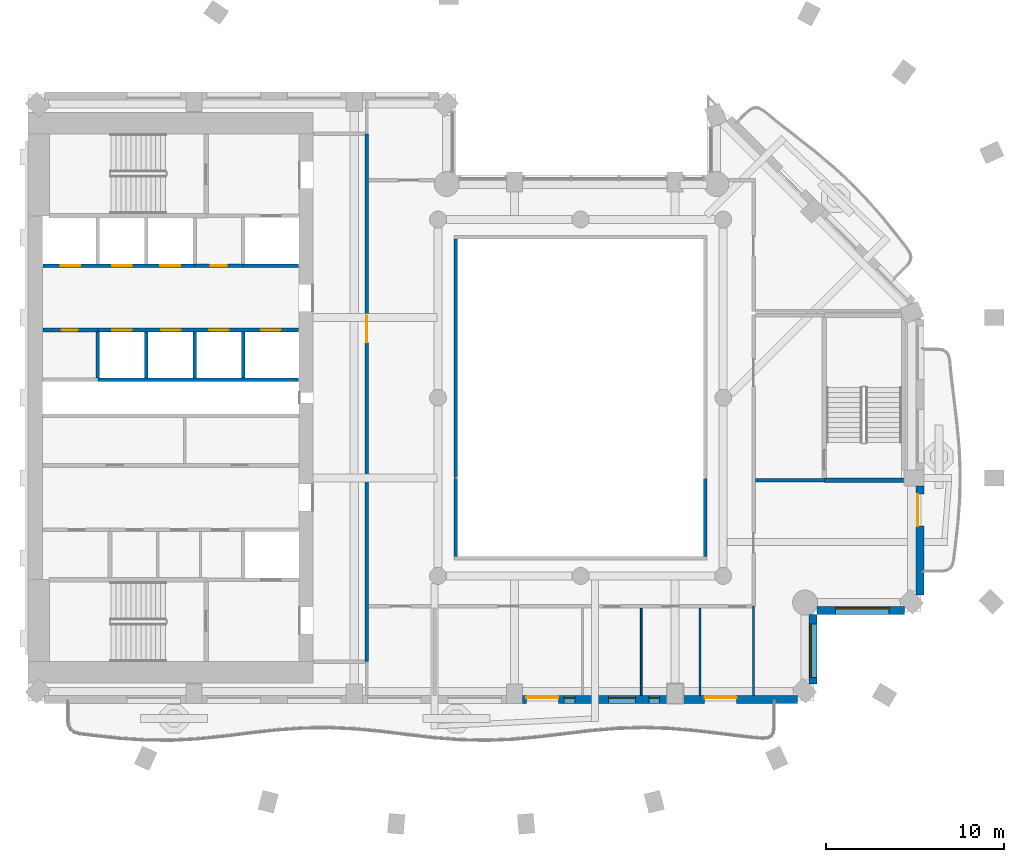
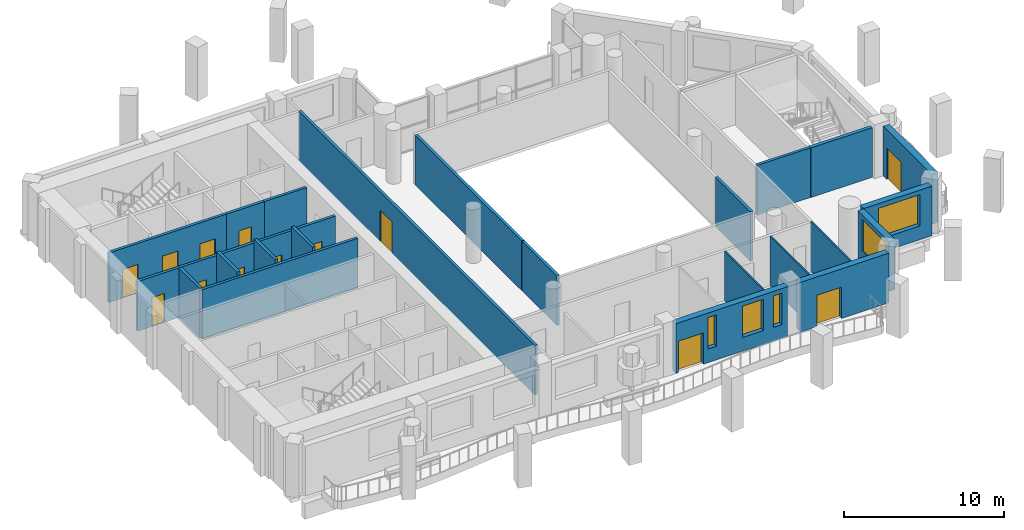
# One storey, part 5 of 15: 24 walls, 13 doors, 5 windows, 18 openings.
"""IFC4 building model written with IfcOpenShell, lengths in metres."""

from ifc_helpers import new_model, si_unit, direction, frame, frame_2d, origin, place, context, subcontext, project, spatial, rectangle, extrude, material, layer, layer_set, type_object, element, fill, save


model = new_model("IFC4")

# Units and contexts
model_context = context("Model", 3, precision=1e-05, world=origin(), true_north=direction((0.0, 1.0)))
body_context = subcontext(model_context, "Body", "Model", "MODEL_VIEW")
ifc_project = project(units=[si_unit("LENGTHUNIT", "METRE"), si_unit("AREAUNIT", "SQUARE_METRE"), si_unit("VOLUMEUNIT", "CUBIC_METRE"), si_unit("PLANEANGLEUNIT", "RADIAN"), si_unit("MASSUNIT", "GRAM", prefix="KILO")], contexts=[model_context])

# Site, building, storey
site_placement = place(None, origin())
site = spatial("IfcSite", under=ifc_project, at=site_placement, CompositionType="ELEMENT")
building_placement = place(site_placement, origin())
building = spatial("IfcBuilding", under=site, at=building_placement, Name="Cypress Arch Tower", CompositionType="ELEMENT")
storey_placement = place(building_placement, frame((0.0, 0.0, 213.800048828125)))
storey = spatial("IfcBuildingStorey", under=building, at=storey_placement, Name="L47", CompositionType="ELEMENT", Elevation=213.800048828125)

# Wall, openings, door, windows
ifc_material_1 = material(Name="Brick (red buff blend)", Category="masonry")
ifc_layer_1 = layer(ifc_material_1, 0.449951171875)
ifc_layer_set_1 = layer_set([ifc_layer_1], Name="Brick pier and spandrel wall BW450")
wall_type_1 = type_object("IfcWallType", Name="Brick pier and spandrel wall BW450", PredefinedType="SOLIDWALL", material=ifc_layer_set_1)
wall_1_placement = place(storey_placement, frame((-2.25, -16.925048828125, 0.0), z_axis=(0.0, 0.0, 1.0), x_axis=(1.0, 0.0, 0.0)))
wall_1 = element("IfcWall", 1, at=wall_1_placement, inside=storey, type_object=wall_type_1, Name="Brick wall L47 B01.3", PredefinedType="SOLIDWALL", context=body_context, shape_type="SweptSolid", body=[
    extrude(rectangle(XDim=8.10009765625, YDim=0.449951171875, at=frame_2d((4.050048828125, 0.0))), origin(), (0.0, 0.0, 1.0), 3.800048828125),
])
opening_1_placement = place(wall_1_placement, frame((0.199951171875, 0.0, 0.0)))
opening_1 = element("IfcOpeningElement", 2, at=opening_1_placement, cuts=wall_1, Name="Opening D-L47-B01.3.1", PredefinedType="OPENING", context=body_context, shape_type="SweptSolid", body=[
    extrude(rectangle(XDim=1.800048828125, YDim=2.39990234375, at=frame_2d((0.89990234375, 1.199951171875))), frame((0.0, 0.23486328125, 0.0), z_axis=(0.0, -1.0, 0.0), x_axis=(1.0, 0.0, 0.0)), (0.0, 0.0, 1.0), 0.469970703125),
])
opening_2_placement = place(wall_1_placement, frame((2.324951171875, 0.0, 1.050048828125)))
opening_2 = element("IfcOpeningElement", 3, at=opening_2_placement, cuts=wall_1, Name="Opening W060OD", PredefinedType="OPENING", context=body_context, shape_type="SweptSolid", body=[
    extrude(rectangle(XDim=0.60009765625, YDim=2.39990234375, at=frame_2d((0.300048828125, 1.199951171875))), frame((0.0, 0.23486328125, 0.0), z_axis=(0.0, -1.0, 0.0), x_axis=(1.0, 0.0, 0.0)), (0.0, 0.0, 1.0), 0.469970703125),
])
opening_3_placement = place(wall_1_placement, frame((4.824951171875, 0.0, 1.050048828125)))
opening_3 = element("IfcOpeningElement", 4, at=opening_3_placement, cuts=wall_1, Name="Opening W150OD", PredefinedType="OPENING", context=body_context, shape_type="SweptSolid", body=[
    extrude(rectangle(XDim=1.5, YDim=2.39990234375, at=frame_2d((0.75, 1.199951171875))), frame((0.0, 0.23486328125, 0.0), z_axis=(0.0, -1.0, 0.0), x_axis=(1.0, 0.0, 0.0)), (0.0, 0.0, 1.0), 0.469970703125),
])
opening_4_placement = place(wall_1_placement, frame((7.074951171875, 0.0, 1.050048828125)))
opening_4 = element("IfcOpeningElement", 5, at=opening_4_placement, cuts=wall_1, Name="Opening W060OD", PredefinedType="OPENING", context=body_context, shape_type="SweptSolid", body=[
    extrude(rectangle(XDim=0.60009765625, YDim=2.39990234375, at=frame_2d((0.300048828125, 1.199951171875))), frame((0.0, 0.23486328125, 0.0), z_axis=(0.0, -1.0, 0.0), x_axis=(1.0, 0.0, 0.0)), (0.0, 0.0, 1.0), 0.469970703125),
])
ifc_material_2 = material(Name="Anodised aluminium, bronze finish, laminated low-emissivity double glazing, large-missile impact rated", Category="aluminium")
door_type_1 = type_object("IfcDoorType", Name="Balcony sliding door 1800x2400", OperationType="SLIDING_TO_LEFT", PredefinedType="DOOR", material=ifc_material_2)
door_1_placement = place(opening_1_placement, origin())
door_1 = element("IfcDoor", 6, at=door_1_placement, inside=storey, type_object=door_type_1, Name="Balcony door L47 B01.3.1", OperationType="SLIDING_TO_LEFT", OverallHeight=2.39990234375, OverallWidth=1.800048828125, PredefinedType="DOOR", context=body_context, shape_type="SweptSolid", body=[
    extrude(rectangle(XDim=1.800048828125, YDim=2.39990234375, at=frame_2d((0.89990234375, 1.199951171875))), frame((0.0, 0.1298828125, 0.0), z_axis=(0.0, -1.0, 0.0), x_axis=(1.0, 0.0, 0.0)), (0.0, 0.0, 1.0), 0.050048828125),
])
fill(opening_1, door_1)
ifc_material_3 = material(Name="Anodised aluminium, bronze finish, laminated low-emissivity double glazing, large-missile impact rated", Category="aluminium")
window_type_1 = type_object("IfcWindowType", Name="Window Office 1500x2400 debris-rated", PartitioningType="SINGLE_PANEL", PredefinedType="WINDOW", material=ifc_material_3)
window_1_placement = place(opening_3_placement, origin())
window_1 = element("IfcWindow", 7, at=window_1_placement, inside=storey, type_object=window_type_1, Name="Window L47 B01.3.2", OverallHeight=2.39990234375, OverallWidth=1.5, PartitioningType="SINGLE_PANEL", PredefinedType="WINDOW", context=body_context, shape_type="SweptSolid", body=[
    extrude(rectangle(XDim=1.5, YDim=2.39990234375, at=frame_2d((0.75, 1.199951171875))), frame((0.0, 0.135009765625, 0.0), z_axis=(0.0, -1.0, 0.0), x_axis=(1.0, 0.0, 0.0)), (0.0, 0.0, 1.0), 0.06005859375),
])
fill(opening_3, window_1)
ifc_material_4 = material(Name="Anodised aluminium, bronze finish, laminated low-emissivity double glazing, large-missile impact rated", Category="aluminium")
window_type_2 = type_object("IfcWindowType", Name="Window Office 600x2400 debris-rated", PartitioningType="SINGLE_PANEL", PredefinedType="WINDOW", material=ifc_material_4)
window_2_placement = place(opening_2_placement, origin())
window_2 = element("IfcWindow", 8, at=window_2_placement, inside=storey, type_object=window_type_2, Name="Window L47 B01.3.1", OverallHeight=2.39990234375, OverallWidth=0.60009765625, PartitioningType="SINGLE_PANEL", PredefinedType="WINDOW", context=body_context, shape_type="SweptSolid", body=[
    extrude(rectangle(XDim=0.60009765625, YDim=2.39990234375, at=frame_2d((0.300048828125, 1.199951171875))), frame((0.0, 0.135009765625, 0.0), z_axis=(0.0, -1.0, 0.0), x_axis=(1.0, 0.0, 0.0)), (0.0, 0.0, 1.0), 0.06005859375),
])
fill(opening_2, window_2)
window_3_placement = place(opening_4_placement, origin())
window_3 = element("IfcWindow", 9, at=window_3_placement, inside=storey, type_object=window_type_2, Name="Window L47 B01.3.2b", OverallHeight=2.39990234375, OverallWidth=0.60009765625, PartitioningType="SINGLE_PANEL", PredefinedType="WINDOW", context=body_context, shape_type="SweptSolid", body=[
    extrude(rectangle(XDim=0.60009765625, YDim=2.39990234375, at=frame_2d((0.300048828125, 1.199951171875))), frame((0.0, 0.135009765625, 0.0), z_axis=(0.0, -1.0, 0.0), x_axis=(1.0, 0.0, 0.0)), (0.0, 0.0, 1.0), 0.06005859375),
])
fill(opening_4, window_3)

# Wall, opening, door
wall_2_placement = place(storey_placement, frame((6.75, -16.925048828125, 0.0), z_axis=(0.0, 0.0, 1.0), x_axis=(1.0, 0.0, 0.0)))
wall_2 = element("IfcWall", 10, at=wall_2_placement, inside=storey, type_object=wall_type_1, Name="Brick wall L47 B01.4", PredefinedType="SOLIDWALL", context=body_context, shape_type="SweptSolid", body=[
    extrude(rectangle(XDim=6.41357421875, YDim=0.449951171875, at=frame_2d((3.206787109375, 0.0))), origin(), (0.0, 0.0, 1.0), 3.800048828125),
])
opening_5_placement = place(wall_2_placement, frame((1.199951171875, 0.0, 0.0)))
opening_5 = element("IfcOpeningElement", 11, at=opening_5_placement, cuts=wall_2, Name="Opening D-L47-B01.4.1", PredefinedType="OPENING", context=body_context, shape_type="SweptSolid", body=[
    extrude(rectangle(XDim=1.800048828125, YDim=2.39990234375, at=frame_2d((0.89990234375, 1.199951171875))), frame((0.0, 0.23486328125, 0.0), z_axis=(0.0, -1.0, 0.0), x_axis=(1.0, 0.0, 0.0)), (0.0, 0.0, 1.0), 0.469970703125),
])
door_2_placement = place(opening_5_placement, origin())
door_2 = element("IfcDoor", 12, at=door_2_placement, inside=storey, type_object=door_type_1, Name="Balcony door L47 B01.4.1", OperationType="SLIDING_TO_LEFT", OverallHeight=2.39990234375, OverallWidth=1.800048828125, PredefinedType="DOOR", context=body_context, shape_type="SweptSolid", body=[
    extrude(rectangle(XDim=1.800048828125, YDim=2.39990234375, at=frame_2d((0.89990234375, 1.199951171875))), frame((0.0, 0.1298828125, 0.0), z_axis=(0.0, -1.0, 0.0), x_axis=(1.0, 0.0, 0.0)), (0.0, 0.0, 1.0), 0.050048828125),
])
fill(opening_5, door_2)

# Wall, opening, window
wall_3_placement = place(storey_placement, frame((14.02490234375, -16.063720703125, 0.0), z_axis=(0.0, 0.0, 1.0), x_axis=(0.0, 1.0, 0.0)))
wall_3 = element("IfcWall", 13, at=wall_3_placement, inside=storey, type_object=wall_type_1, Name="Brick wall L47 B02.0", PredefinedType="SOLIDWALL", context=body_context, shape_type="SweptSolid", body=[
    extrude(rectangle(XDim=3.9091796875, YDim=0.449951171875, at=frame_2d((1.95458984375, 0.0))), origin(), (0.0, 0.0, 1.0), 3.800048828125),
])
opening_6_placement = place(wall_3_placement, frame((0.363525390625, 0.0, 1.050048828125)))
opening_6 = element("IfcOpeningElement", 14, at=opening_6_placement, cuts=wall_3, Name="Opening W300O", PredefinedType="OPENING", context=body_context, shape_type="SweptSolid", body=[
    extrude(rectangle(XDim=3.0, YDim=2.39990234375, at=frame_2d((1.5, 1.199951171875))), frame((0.0, 0.23486328125, 0.0), z_axis=(0.0, -1.0, 0.0), x_axis=(1.0, 0.0, 0.0)), (0.0, 0.0, 1.0), 0.469970703125),
])
ifc_material_5 = material(Name="Anodised aluminium, bronze finish, clear low-emissivity double glazing", Category="aluminium")
window_type_3 = type_object("IfcWindowType", Name="Window Office 3000x2400", PartitioningType="SINGLE_PANEL", PredefinedType="WINDOW", material=ifc_material_5)
window_4_placement = place(opening_6_placement, origin())
window_4 = element("IfcWindow", 15, at=window_4_placement, inside=storey, type_object=window_type_3, Name="Window L47 B02.0.1", OverallHeight=2.39990234375, OverallWidth=3.0, PartitioningType="SINGLE_PANEL", PredefinedType="WINDOW", context=body_context, shape_type="SweptSolid", body=[
    extrude(rectangle(XDim=3.0, YDim=2.39990234375, at=frame_2d((1.5, 1.199951171875))), frame((0.0, 0.135009765625, 0.0), z_axis=(0.0, -1.0, 0.0), x_axis=(1.0, 0.0, 0.0)), (0.0, 0.0, 1.0), 0.06005859375),
])
fill(opening_6, window_4)

wall_4_placement = place(storey_placement, frame((14.254638671875, -11.925048828125, 0.0), z_axis=(0.0, 0.0, 1.0), x_axis=(1.0, 0.0, 0.0)))
wall_4 = element("IfcWall", 16, at=wall_4_placement, inside=storey, type_object=wall_type_1, Name="Brick wall L47 B03.0", PredefinedType="SOLIDWALL", context=body_context, shape_type="SweptSolid", body=[
    extrude(rectangle(XDim=4.908935546875, YDim=0.449951171875, at=frame_2d((2.45458984375, 0.0))), origin(), (0.0, 0.0, 1.0), 3.800048828125),
])
opening_7_placement = place(wall_4_placement, frame((1.04541015625, 0.0, 1.050048828125)))
opening_7 = element("IfcOpeningElement", 17, at=opening_7_placement, cuts=wall_4, Name="Opening W300O", PredefinedType="OPENING", context=body_context, shape_type="SweptSolid", body=[
    extrude(rectangle(XDim=3.0, YDim=2.39990234375, at=frame_2d((1.5, 1.199951171875))), frame((0.0, 0.23486328125, 0.0), z_axis=(0.0, -1.0, 0.0), x_axis=(1.0, 0.0, 0.0)), (0.0, 0.0, 1.0), 0.469970703125),
])
window_5_placement = place(opening_7_placement, origin())
window_5 = element("IfcWindow", 18, at=window_5_placement, inside=storey, type_object=window_type_3, Name="Window L47 B03.0.1", OverallHeight=2.39990234375, OverallWidth=3.0, PartitioningType="SINGLE_PANEL", PredefinedType="WINDOW", context=body_context, shape_type="SweptSolid", body=[
    extrude(rectangle(XDim=3.0, YDim=2.39990234375, at=frame_2d((1.5, 1.199951171875))), frame((0.0, 0.135009765625, 0.0), z_axis=(0.0, -1.0, 0.0), x_axis=(1.0, 0.0, 0.0)), (0.0, 0.0, 1.0), 0.06005859375),
])
fill(opening_7, window_5)

# Wall, opening, door
wall_5_placement = place(storey_placement, frame((20.02490234375, -11.063720703125, 0.0), z_axis=(0.0, 0.0, 1.0), x_axis=(0.0, 1.0, 0.0)))
wall_5 = element("IfcWall", 19, at=wall_5_placement, inside=storey, type_object=wall_type_1, Name="Brick wall L47 B04.0", PredefinedType="SOLIDWALL", context=body_context, shape_type="SweptSolid", body=[
    extrude(rectangle(XDim=6.11376953125, YDim=0.449951171875, at=frame_2d((3.056884765625, 0.0))), origin(), (0.0, 0.0, 1.0), 3.800048828125),
])
opening_8_placement = place(wall_5_placement, frame((3.863525390625, 0.0, 0.0)))
opening_8 = element("IfcOpeningElement", 20, at=opening_8_placement, cuts=wall_5, Name="Opening D-L47-B04.0.2", PredefinedType="OPENING", context=body_context, shape_type="SweptSolid", body=[
    extrude(rectangle(XDim=1.800048828125, YDim=2.39990234375, at=frame_2d((0.89990234375, 1.199951171875))), frame((0.0, 0.23486328125, 0.0), z_axis=(0.0, -1.0, 0.0), x_axis=(1.0, 0.0, 0.0)), (0.0, 0.0, 1.0), 0.469970703125),
])
door_3_placement = place(opening_8_placement, origin())
door_3 = element("IfcDoor", 21, at=door_3_placement, inside=storey, type_object=door_type_1, Name="Balcony door L47 B04.0.2", OperationType="SLIDING_TO_LEFT", OverallHeight=2.39990234375, OverallWidth=1.800048828125, PredefinedType="DOOR", context=body_context, shape_type="SweptSolid", body=[
    extrude(rectangle(XDim=1.800048828125, YDim=2.39990234375, at=frame_2d((0.89990234375, 1.199951171875))), frame((0.0, 0.1298828125, 0.0), z_axis=(0.0, -1.0, 0.0), x_axis=(1.0, 0.0, 0.0)), (0.0, 0.0, 1.0), 0.050048828125),
])
fill(opening_8, door_3)

ifc_material_6 = material(Name="Concrete blockwork, plastered, rated", Category="masonry")
ifc_layer_2 = layer(ifc_material_6, 0.199951171875)
ifc_layer_set_2 = layer_set([ifc_layer_2], Name="Corridor wall FW200")
wall_type_2 = type_object("IfcWallType", Name="Corridor wall FW200", PredefinedType="PARTITIONING", material=ifc_layer_set_2)
wall_6_placement = place(storey_placement, frame((-20.639892578125, 7.39990234375, 0.0), z_axis=(0.0, 0.0, 1.0), x_axis=(1.0, 0.0, 0.0)))
wall_6 = element("IfcWall", 22, at=wall_6_placement, inside=storey, type_object=wall_type_2, Name="Corridor wall", PredefinedType="PARTITIONING", context=body_context, shape_type="SweptSolid", body=[
    extrude(rectangle(XDim=2.719970703125, YDim=0.199951171875, at=frame_2d((1.35986328125, 0.0))), origin(), (0.0, 0.0, 1.0), 3.800048828125),
])
opening_9_placement = place(wall_6_placement, frame((0.89990234375, 0.0, 0.0)))
opening_9 = element("IfcOpeningElement", 23, at=opening_9_placement, cuts=wall_6, Name="Opening D05", PredefinedType="OPENING", context=body_context, shape_type="SweptSolid", body=[
    extrude(rectangle(XDim=0.89990234375, YDim=2.199951171875, at=frame_2d((0.449951171875, 1.10009765625))), frame((0.0, 0.10986328125, 0.0), z_axis=(0.0, -1.0, 0.0), x_axis=(1.0, 0.0, 0.0)), (0.0, 0.0, 1.0), 0.219970703125),
])
ifc_material_7 = material(Name="Timber flush door", Category="wood")
door_type_2 = type_object("IfcDoorType", Name="Service door D05 900x2200", OperationType="SINGLE_SWING_LEFT", PredefinedType="DOOR", material=ifc_material_7)
door_4_placement = place(opening_9_placement, origin())
door_4 = element("IfcDoor", 24, at=door_4_placement, inside=storey, type_object=door_type_2, Name="Service door", OperationType="SINGLE_SWING_LEFT", OverallHeight=2.199951171875, OverallWidth=0.89990234375, PredefinedType="DOOR", context=body_context, shape_type="SweptSolid", body=[
    extrude(rectangle(XDim=0.89990234375, YDim=2.199951171875, at=frame_2d((0.449951171875, 1.10009765625))), frame((0.0, 0.02490234375, 0.0), z_axis=(0.0, -1.0, 0.0), x_axis=(1.0, 0.0, 0.0)), (0.0, 0.0, 1.0), 0.050048828125),
])
fill(opening_9, door_4)

wall_7_placement = place(storey_placement, frame((-11.0, -14.800048828125, 0.0), z_axis=(0.0, 0.0, 1.0), x_axis=(0.0, 1.0, 0.0)))
wall_7 = element("IfcWall", 25, at=wall_7_placement, inside=storey, type_object=wall_type_2, Name="Corridor wall", PredefinedType="PARTITIONING", context=body_context, shape_type="SweptSolid", body=[
    extrude(rectangle(XDim=29.60009765625, YDim=0.199951171875, at=frame_2d((14.800048828125, 0.0))), origin(), (0.0, 0.0, 1.0), 3.800048828125),
])
opening_10_placement = place(wall_7_placement, frame((17.89990234375, 0.0, 0.0)))
opening_10 = element("IfcOpeningElement", 26, at=opening_10_placement, cuts=wall_7, Name="Opening D07", PredefinedType="OPENING", context=body_context, shape_type="SweptSolid", body=[
    extrude(rectangle(XDim=1.5, YDim=2.39990234375, at=frame_2d((0.75, 1.199951171875))), frame((0.0, 0.10986328125, 0.0), z_axis=(0.0, -1.0, 0.0), x_axis=(1.0, 0.0, 0.0)), (0.0, 0.0, 1.0), 0.219970703125),
])
ifc_material_8 = material(Name="Steel framed glazed door, fire resisting", Category="steel")
door_type_3 = type_object("IfcDoorType", Name="Lobby door D07 1500x2400", OperationType="DOUBLE_DOOR_SINGLE_SWING", PredefinedType="DOOR", material=ifc_material_8)
door_5_placement = place(opening_10_placement, origin())
door_5 = element("IfcDoor", 27, at=door_5_placement, inside=storey, type_object=door_type_3, Name="Lobby door", OperationType="DOUBLE_DOOR_SINGLE_SWING", OverallHeight=2.39990234375, OverallWidth=1.5, PredefinedType="DOOR", context=body_context, shape_type="SweptSolid", body=[
    extrude(rectangle(XDim=1.5, YDim=2.39990234375, at=frame_2d((0.75, 1.199951171875))), frame((0.0, 0.02490234375, 0.0), z_axis=(0.0, -1.0, 0.0), x_axis=(1.0, 0.0, 0.0)), (0.0, 0.0, 1.0), 0.050048828125),
])
fill(opening_10, door_5)

# Walls
wall_8_placement = place(storey_placement, frame((-6.0, -8.89990234375, 0.0), z_axis=(0.0, 0.0, 1.0), x_axis=(0.0, 1.0, 0.0)))
element("IfcWall", 28, at=wall_8_placement, inside=storey, type_object=wall_type_2, Name="Corridor wall", PredefinedType="PARTITIONING", context=body_context, shape_type="SweptSolid", body=[
    extrude(rectangle(XDim=4.3798828125, YDim=0.199951171875, at=frame_2d((2.18994140625, 0.0))), origin(), (0.0, 0.0, 1.0), 3.800048828125),
])
wall_9_placement = place(storey_placement, frame((-6.0, -4.47998046875, 0.0), z_axis=(0.0, 0.0, 1.0), x_axis=(0.0, 1.0, 0.0)))
element("IfcWall", 29, at=wall_9_placement, inside=storey, type_object=wall_type_2, Name="Corridor wall", PredefinedType="PARTITIONING", context=body_context, shape_type="SweptSolid", body=[
    extrude(rectangle(XDim=13.3798828125, YDim=0.199951171875, at=frame_2d((6.68994140625, 0.0))), origin(), (0.0, 0.0, 1.0), 3.800048828125),
])
wall_10_placement = place(storey_placement, frame((8.0, -8.89990234375, 0.0), z_axis=(0.0, 0.0, 1.0), x_axis=(0.0, 1.0, 0.0)))
element("IfcWall", 30, at=wall_10_placement, inside=storey, type_object=wall_type_2, Name="Corridor wall", PredefinedType="PARTITIONING", context=body_context, shape_type="SweptSolid", body=[
    extrude(rectangle(XDim=4.3798828125, YDim=0.199951171875, at=frame_2d((2.18994140625, 0.0))), origin(), (0.0, 0.0, 1.0), 3.800048828125),
])
wall_11_placement = place(storey_placement, frame((10.800048828125, -4.625, 0.0), z_axis=(0.0, 0.0, 1.0), x_axis=(1.0, 0.0, 0.0)))
element("IfcWall", 31, at=wall_11_placement, inside=storey, type_object=wall_type_2, Name="Corridor wall", PredefinedType="PARTITIONING", context=body_context, shape_type="SweptSolid", body=[
    extrude(rectangle(XDim=3.875, YDim=0.199951171875, at=frame_2d((1.9375, 0.0))), origin(), (0.0, 0.0, 1.0), 3.800048828125),
])

# Wall, opening, door
ifc_material_9 = material(Name="Reinforced blockwork, plastered, rated", Category="masonry")
ifc_layer_3 = layer(ifc_material_9, 0.199951171875)
ifc_layer_set_3 = layer_set([ifc_layer_3], Name="Plant and riser wall PL200")
wall_type_3 = type_object("IfcWallType", Name="Plant and riser wall PL200", PredefinedType="PARTITIONING", material=ifc_layer_set_3)
wall_12_placement = place(storey_placement, frame((-29.169921875, 3.800048828125, 0.0), z_axis=(0.0, 0.0, 1.0), x_axis=(1.0, 0.0, 0.0)))
wall_12 = element("IfcWall", 32, at=wall_12_placement, inside=storey, type_object=wall_type_3, Name="Plant and riser wall", PredefinedType="PARTITIONING", context=body_context, shape_type="SweptSolid", body=[
    extrude(rectangle(XDim=3.08984375, YDim=0.199951171875, at=frame_2d((1.544921875, 0.0))), origin(), (0.0, 0.0, 1.0), 3.800048828125),
])
opening_11_placement = place(wall_12_placement, frame((1.050048828125, 0.0, 0.0)))
opening_11 = element("IfcOpeningElement", 33, at=opening_11_placement, cuts=wall_12, Name="Opening D05", PredefinedType="OPENING", context=body_context, shape_type="SweptSolid", body=[
    extrude(rectangle(XDim=0.89990234375, YDim=2.199951171875, at=frame_2d((0.449951171875, 1.10009765625))), frame((0.0, 0.10986328125, 0.0), z_axis=(0.0, -1.0, 0.0), x_axis=(1.0, 0.0, 0.0)), (0.0, 0.0, 1.0), 0.219970703125),
])
door_6_placement = place(opening_11_placement, origin())
door_6 = element("IfcDoor", 34, at=door_6_placement, inside=storey, type_object=door_type_2, Name="Service door", OperationType="SINGLE_SWING_LEFT", OverallHeight=2.199951171875, OverallWidth=0.89990234375, PredefinedType="DOOR", context=body_context, shape_type="SweptSolid", body=[
    extrude(rectangle(XDim=0.89990234375, YDim=2.199951171875, at=frame_2d((0.449951171875, 1.10009765625))), frame((0.0, 0.02490234375, 0.0), z_axis=(0.0, -1.0, 0.0), x_axis=(1.0, 0.0, 0.0)), (0.0, 0.0, 1.0), 0.050048828125),
])
fill(opening_11, door_6)

# Wall, openings, doors
ifc_material_10 = material(Name="Concrete C50/60", Category="concrete")
ifc_layer_4 = layer(ifc_material_10, 0.199951171875)
ifc_layer_set_4 = layer_set([ifc_layer_4], Name="Shaft wall SH200")
wall_type_4 = type_object("IfcWallType", Name="Shaft wall SH200", PredefinedType="SHEAR", material=ifc_layer_set_4)
wall_13_placement = place(storey_placement, frame((-29.169921875, 7.39990234375, 0.0), z_axis=(0.0, 0.0, 1.0), x_axis=(1.0, 0.0, 0.0)))
wall_13 = element("IfcWall", 35, at=wall_13_placement, inside=storey, type_object=wall_type_4, Name="Shaft wall", PredefinedType="SHEAR", context=body_context, shape_type="SweptSolid", body=[
    extrude(rectangle(XDim=8.530029296875, YDim=0.199951171875, at=frame_2d((4.26513671875, 0.0))), origin(), (0.0, 0.0, 1.0), 3.800048828125),
])
opening_12_placement = place(wall_13_placement, frame((1.0, 0.0, 0.0)))
opening_12 = element("IfcOpeningElement", 36, at=opening_12_placement, cuts=wall_13, Name="Opening LD-HR5", PredefinedType="OPENING", context=body_context, shape_type="SweptSolid", body=[
    extrude(rectangle(XDim=1.10009765625, YDim=2.199951171875, at=frame_2d((0.550048828125, 1.10009765625))), frame((0.0, 0.10986328125, 0.0), z_axis=(0.0, -1.0, 0.0), x_axis=(1.0, 0.0, 0.0)), (0.0, 0.0, 1.0), 0.219970703125),
])
opening_13_placement = place(wall_13_placement, frame((3.89990234375, 0.0, 0.0)))
opening_13 = element("IfcOpeningElement", 37, at=opening_13_placement, cuts=wall_13, Name="Opening LD-HR6", PredefinedType="OPENING", context=body_context, shape_type="SweptSolid", body=[
    extrude(rectangle(XDim=1.10009765625, YDim=2.199951171875, at=frame_2d((0.550048828125, 1.10009765625))), frame((0.0, 0.10986328125, 0.0), z_axis=(0.0, -1.0, 0.0), x_axis=(1.0, 0.0, 0.0)), (0.0, 0.0, 1.0), 0.219970703125),
])
opening_14_placement = place(wall_13_placement, frame((6.60009765625, 0.0, 0.0)))
opening_14 = element("IfcOpeningElement", 38, at=opening_14_placement, cuts=wall_13, Name="Opening LD-HR7", PredefinedType="OPENING", context=body_context, shape_type="SweptSolid", body=[
    extrude(rectangle(XDim=1.10009765625, YDim=2.199951171875, at=frame_2d((0.550048828125, 1.10009765625))), frame((0.0, 0.10986328125, 0.0), z_axis=(0.0, -1.0, 0.0), x_axis=(1.0, 0.0, 0.0)), (0.0, 0.0, 1.0), 0.219970703125),
])
ifc_material_11 = material(Name="Stainless steel centre-opening landing door, rated", Category="steel")
door_type_4 = type_object("IfcDoorType", Name="Lift landing door LD 1100x2200", OperationType="DOUBLE_DOOR_SLIDING", PredefinedType="DOOR", material=ifc_material_11)
door_7_placement = place(opening_12_placement, origin())
door_7 = element("IfcDoor", 39, at=door_7_placement, inside=storey, type_object=door_type_4, Name="Lift landing doors HR5", OperationType="DOUBLE_DOOR_SLIDING", OverallHeight=2.199951171875, OverallWidth=1.10009765625, PredefinedType="DOOR", context=body_context, shape_type="SweptSolid", body=[
    extrude(rectangle(XDim=1.10009765625, YDim=2.199951171875, at=frame_2d((0.550048828125, 1.10009765625))), frame((0.0, 0.02490234375, 0.0), z_axis=(0.0, -1.0, 0.0), x_axis=(1.0, 0.0, 0.0)), (0.0, 0.0, 1.0), 0.050048828125),
])
fill(opening_12, door_7)
door_8_placement = place(opening_13_placement, origin())
door_8 = element("IfcDoor", 40, at=door_8_placement, inside=storey, type_object=door_type_4, Name="Lift landing doors HR6", OperationType="DOUBLE_DOOR_SLIDING", OverallHeight=2.199951171875, OverallWidth=1.10009765625, PredefinedType="DOOR", context=body_context, shape_type="SweptSolid", body=[
    extrude(rectangle(XDim=1.10009765625, YDim=2.199951171875, at=frame_2d((0.550048828125, 1.10009765625))), frame((0.0, 0.02490234375, 0.0), z_axis=(0.0, -1.0, 0.0), x_axis=(1.0, 0.0, 0.0)), (0.0, 0.0, 1.0), 0.050048828125),
])
fill(opening_13, door_8)
door_9_placement = place(opening_14_placement, origin())
door_9 = element("IfcDoor", 41, at=door_9_placement, inside=storey, type_object=door_type_4, Name="Lift landing doors HR7", OperationType="DOUBLE_DOOR_SLIDING", OverallHeight=2.199951171875, OverallWidth=1.10009765625, PredefinedType="DOOR", context=body_context, shape_type="SweptSolid", body=[
    extrude(rectangle(XDim=1.10009765625, YDim=2.199951171875, at=frame_2d((0.550048828125, 1.10009765625))), frame((0.0, 0.02490234375, 0.0), z_axis=(0.0, -1.0, 0.0), x_axis=(1.0, 0.0, 0.0)), (0.0, 0.0, 1.0), 0.050048828125),
])
fill(opening_14, door_9)

# Walls
wall_14_placement = place(storey_placement, frame((-26.080078125, 1.10009765625, 0.0), z_axis=(0.0, 0.0, 1.0), x_axis=(0.0, 1.0, 0.0)))
element("IfcWall", 42, at=wall_14_placement, inside=storey, type_object=wall_type_4, Name="Shaft wall", PredefinedType="SHEAR", context=body_context, shape_type="SweptSolid", body=[
    extrude(rectangle(XDim=2.599853515625, YDim=0.199951171875, at=frame_2d((1.2998046875, 0.0))), origin(), (0.0, 0.0, 1.0), 3.800048828125),
])
wall_15_placement = place(storey_placement, frame((-26.080078125, 1.0, 0.0), z_axis=(0.0, 0.0, 1.0), x_axis=(1.0, 0.0, 0.0)))
element("IfcWall", 43, at=wall_15_placement, inside=storey, type_object=wall_type_4, Name="Shaft wall", PredefinedType="SHEAR", context=body_context, shape_type="SweptSolid", body=[
    extrude(rectangle(XDim=11.25, YDim=0.199951171875, at=frame_2d((5.625, 0.0))), origin(), (0.0, 0.0, 1.0), 3.800048828125),
])

# Wall, openings, doors
wall_16_placement = place(storey_placement, frame((-26.080078125, 3.800048828125, 0.0), z_axis=(0.0, 0.0, 1.0), x_axis=(1.0, 0.0, 0.0)))
wall_16 = element("IfcWall", 44, at=wall_16_placement, inside=storey, type_object=wall_type_4, Name="Shaft wall", PredefinedType="SHEAR", context=body_context, shape_type="SweptSolid", body=[
    extrude(rectangle(XDim=11.25, YDim=0.199951171875, at=frame_2d((5.625, 0.0))), origin(), (0.0, 0.0, 1.0), 3.800048828125),
])
opening_15_placement = place(wall_16_placement, frame((0.800048828125, 0.0, 0.0)))
opening_15 = element("IfcOpeningElement", 45, at=opening_15_placement, cuts=wall_16, Name="Opening LD-HR1", PredefinedType="OPENING", context=body_context, shape_type="SweptSolid", body=[
    extrude(rectangle(XDim=1.10009765625, YDim=2.199951171875, at=frame_2d((0.550048828125, 1.10009765625))), frame((0.0, 0.10986328125, 0.0), z_axis=(0.0, -1.0, 0.0), x_axis=(1.0, 0.0, 0.0)), (0.0, 0.0, 1.0), 0.219970703125),
])
opening_16_placement = place(wall_16_placement, frame((3.550048828125, 0.0, 0.0)))
opening_16 = element("IfcOpeningElement", 46, at=opening_16_placement, cuts=wall_16, Name="Opening LD-HR2", PredefinedType="OPENING", context=body_context, shape_type="SweptSolid", body=[
    extrude(rectangle(XDim=1.10009765625, YDim=2.199951171875, at=frame_2d((0.550048828125, 1.10009765625))), frame((0.0, 0.10986328125, 0.0), z_axis=(0.0, -1.0, 0.0), x_axis=(1.0, 0.0, 0.0)), (0.0, 0.0, 1.0), 0.219970703125),
])
opening_17_placement = place(wall_16_placement, frame((6.25, 0.0, 0.0)))
opening_17 = element("IfcOpeningElement", 47, at=opening_17_placement, cuts=wall_16, Name="Opening LD-HR3", PredefinedType="OPENING", context=body_context, shape_type="SweptSolid", body=[
    extrude(rectangle(XDim=1.10009765625, YDim=2.199951171875, at=frame_2d((0.550048828125, 1.10009765625))), frame((0.0, 0.10986328125, 0.0), z_axis=(0.0, -1.0, 0.0), x_axis=(1.0, 0.0, 0.0)), (0.0, 0.0, 1.0), 0.219970703125),
])
opening_18_placement = place(wall_16_placement, frame((9.14990234375, 0.0, 0.0)))
opening_18 = element("IfcOpeningElement", 48, at=opening_18_placement, cuts=wall_16, Name="Opening LD-HR4", PredefinedType="OPENING", context=body_context, shape_type="SweptSolid", body=[
    extrude(rectangle(XDim=1.10009765625, YDim=2.199951171875, at=frame_2d((0.550048828125, 1.10009765625))), frame((0.0, 0.10986328125, 0.0), z_axis=(0.0, -1.0, 0.0), x_axis=(1.0, 0.0, 0.0)), (0.0, 0.0, 1.0), 0.219970703125),
])
door_10_placement = place(opening_15_placement, origin())
door_10 = element("IfcDoor", 49, at=door_10_placement, inside=storey, type_object=door_type_4, Name="Lift landing doors HR1", OperationType="DOUBLE_DOOR_SLIDING", OverallHeight=2.199951171875, OverallWidth=1.10009765625, PredefinedType="DOOR", context=body_context, shape_type="SweptSolid", body=[
    extrude(rectangle(XDim=1.10009765625, YDim=2.199951171875, at=frame_2d((0.550048828125, 1.10009765625))), frame((0.0, 0.02490234375, 0.0), z_axis=(0.0, -1.0, 0.0), x_axis=(1.0, 0.0, 0.0)), (0.0, 0.0, 1.0), 0.050048828125),
])
fill(opening_15, door_10)
door_11_placement = place(opening_16_placement, origin())
door_11 = element("IfcDoor", 50, at=door_11_placement, inside=storey, type_object=door_type_4, Name="Lift landing doors HR2", OperationType="DOUBLE_DOOR_SLIDING", OverallHeight=2.199951171875, OverallWidth=1.10009765625, PredefinedType="DOOR", context=body_context, shape_type="SweptSolid", body=[
    extrude(rectangle(XDim=1.10009765625, YDim=2.199951171875, at=frame_2d((0.550048828125, 1.10009765625))), frame((0.0, 0.02490234375, 0.0), z_axis=(0.0, -1.0, 0.0), x_axis=(1.0, 0.0, 0.0)), (0.0, 0.0, 1.0), 0.050048828125),
])
fill(opening_16, door_11)
door_12_placement = place(opening_17_placement, origin())
door_12 = element("IfcDoor", 51, at=door_12_placement, inside=storey, type_object=door_type_4, Name="Lift landing doors HR3", OperationType="DOUBLE_DOOR_SLIDING", OverallHeight=2.199951171875, OverallWidth=1.10009765625, PredefinedType="DOOR", context=body_context, shape_type="SweptSolid", body=[
    extrude(rectangle(XDim=1.10009765625, YDim=2.199951171875, at=frame_2d((0.550048828125, 1.10009765625))), frame((0.0, 0.02490234375, 0.0), z_axis=(0.0, -1.0, 0.0), x_axis=(1.0, 0.0, 0.0)), (0.0, 0.0, 1.0), 0.050048828125),
])
fill(opening_17, door_12)
door_13_placement = place(opening_18_placement, origin())
door_13 = element("IfcDoor", 52, at=door_13_placement, inside=storey, type_object=door_type_4, Name="Lift landing doors HR4", OperationType="DOUBLE_DOOR_SLIDING", OverallHeight=2.199951171875, OverallWidth=1.10009765625, PredefinedType="DOOR", context=body_context, shape_type="SweptSolid", body=[
    extrude(rectangle(XDim=1.10009765625, YDim=2.199951171875, at=frame_2d((0.550048828125, 1.10009765625))), frame((0.0, 0.02490234375, 0.0), z_axis=(0.0, -1.0, 0.0), x_axis=(1.0, 0.0, 0.0)), (0.0, 0.0, 1.0), 0.050048828125),
])
fill(opening_18, door_13)

# Walls
for number, where, z_axis, x_axis, name in (
    (53, (-23.360107421875, 1.10009765625, 0.0), (0.0, 0.0, 1.0), (0.0, 1.0, 0.0), "Shaft wall"),
    (54, (-20.639892578125, 1.10009765625, 0.0), (0.0, 0.0, 1.0), (0.0, 1.0, 0.0), "Shaft wall"),
    (55, (-17.919921875, 1.10009765625, 0.0), (0.0, 0.0, 1.0), (0.0, 1.0, 0.0), "Shaft wall"),
):
    element("IfcWall", number, at=place(storey_placement, frame(where, z_axis=z_axis, x_axis=x_axis)), inside=storey, type_object=wall_type_4, Name=name, PredefinedType="SHEAR", context=body_context, shape_type="SweptSolid", body=[
        extrude(rectangle(XDim=2.599853515625, YDim=0.199951171875, at=frame_2d((1.2998046875, 0.0))), origin(), (0.0, 0.0, 1.0), 4.099853515625),
    ])
wall_17_placement = place(storey_placement, frame((-17.919921875, 7.39990234375, 0.0), z_axis=(0.0, 0.0, 1.0), x_axis=(1.0, 0.0, 0.0)))
element("IfcWall", 56, at=wall_17_placement, inside=storey, type_object=wall_type_4, Name="Shaft wall", PredefinedType="SHEAR", context=body_context, shape_type="SweptSolid", body=[
    extrude(rectangle(XDim=3.08984375, YDim=0.199951171875, at=frame_2d((1.544921875, 0.0))), origin(), (0.0, 0.0, 1.0), 3.800048828125),
])
ifc_material_12 = material(Name="Concrete C50/60", Category="concrete")
ifc_layer_5 = layer(ifc_material_12, 0.25)
ifc_layer_set_5 = layer_set([ifc_layer_5], Name="Stair enclosure wall SW250")
wall_type_5 = type_object("IfcWallType", Name="Stair enclosure wall SW250", PredefinedType="SHEAR", material=ifc_layer_set_5)
wall_18_placement = place(storey_placement, frame((14.675048828125, -4.625, 0.0), z_axis=(0.0, 0.0, 1.0), x_axis=(1.0, 0.0, 0.0)))
element("IfcWall", 57, at=wall_18_placement, inside=storey, type_object=wall_type_5, Name="Stair enclosure wall", PredefinedType="SHEAR", context=body_context, shape_type="SweptSolid", body=[
    extrude(rectangle(XDim=4.449951171875, YDim=0.25, at=frame_2d((2.22509765625, 0.0))), origin(), (0.0, 0.0, 1.0), 3.800048828125),
])
ifc_material_13 = material(Name="Moisture resistant board on steel studs, tiled", Category="steel")
ifc_layer_6 = layer(ifc_material_13, 0.10009765625)
ifc_layer_set_6 = layer_set([ifc_layer_6], Name="Wet wall PW100")
wall_type_6 = type_object("IfcWallType", Name="Wet wall PW100", PredefinedType="PARTITIONING", material=ifc_layer_set_6)
for number, where, z_axis, x_axis, name in (
    (58, (4.39990234375, -16.699951171875, 0.0), (0.0, 0.0, 1.0), (0.0, 1.0, 0.0), "Wet wall"),
    (59, (7.699951171875, -16.699951171875, 0.0), (0.0, 0.0, 1.0), (0.0, 1.0, 0.0), "Wet wall"),
):
    element("IfcWall", number, at=place(storey_placement, frame(where, z_axis=z_axis, x_axis=x_axis)), inside=storey, type_object=wall_type_6, Name=name, PredefinedType="PARTITIONING", context=body_context, shape_type="SweptSolid", body=[
        extrude(rectangle(XDim=4.89990234375, YDim=0.10009765625, at=frame_2d((2.449951171875, 0.0))), origin(), (0.0, 0.0, 1.0), 3.800048828125),
    ])
wall_19_placement = place(storey_placement, frame((10.699951171875, -16.699951171875, 0.0), z_axis=(0.0, 0.0, 1.0), x_axis=(0.0, 1.0, 0.0)))
element("IfcWall", 60, at=wall_19_placement, inside=storey, type_object=wall_type_6, Name="Wet wall", PredefinedType="PARTITIONING", context=body_context, shape_type="SweptSolid", body=[
    extrude(rectangle(XDim=5.0, YDim=0.10009765625, at=frame_2d((2.5, 0.0))), origin(), (0.0, 0.0, 1.0), 3.800048828125),
])

save(model, "model.ifc")
